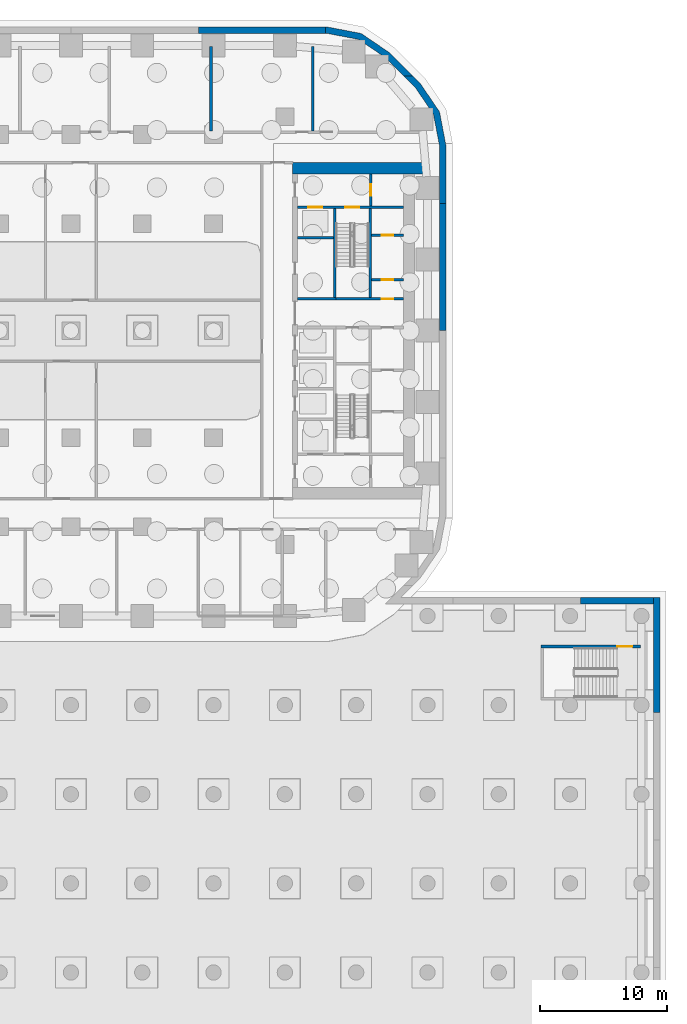
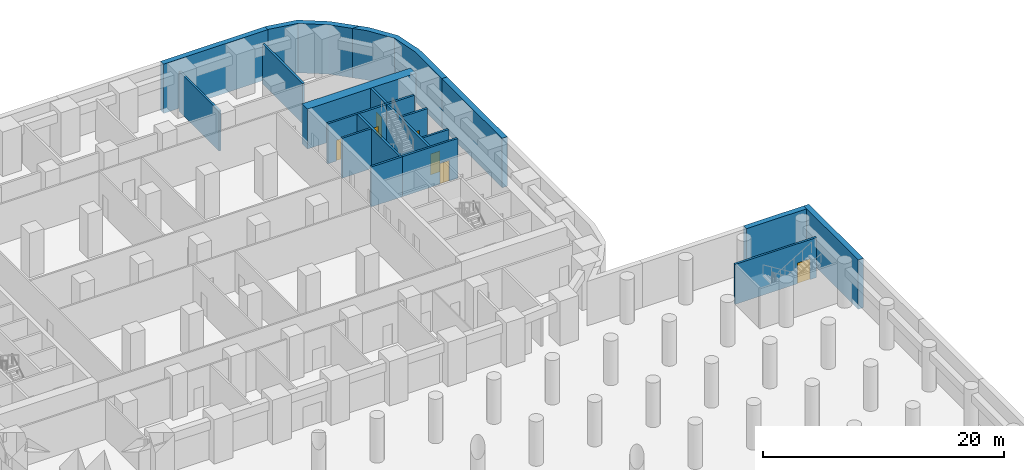
# One storey, part 14 of 23: 19 walls, 7 doors, 7 openings.
"""IFC4 building model written with IfcOpenShell, lengths in metres."""

from ifc_helpers import new_model, si_unit, direction, frame, frame_2d, origin, place, context, subcontext, project, spatial, polyline, rectangle, outline, extrude, material, layer, layer_set, type_object, element, fill, save


model = new_model("IFC4")

# Units and contexts
model_context = context("Model", 3, precision=1e-05, world=origin(), true_north=direction((0.0, 1.0)))
body_context = subcontext(model_context, "Body", "Model", "MODEL_VIEW")
ifc_project = project(units=[si_unit("LENGTHUNIT", "METRE"), si_unit("AREAUNIT", "SQUARE_METRE"), si_unit("VOLUMEUNIT", "CUBIC_METRE"), si_unit("PLANEANGLEUNIT", "RADIAN"), si_unit("MASSUNIT", "GRAM", prefix="KILO")], contexts=[model_context])

# Site, building, storey
site_placement = place(None, origin())
site = spatial("IfcSite", under=ifc_project, at=site_placement, CompositionType="ELEMENT")
building_placement = place(site_placement, origin())
building = spatial("IfcBuilding", under=site, at=building_placement, Name="Kiln Ring Residences", CompositionType="ELEMENT")
storey_placement = place(building_placement, frame((0.0, 0.0, -4.5)))
storey = spatial("IfcBuildingStorey", under=building, at=storey_placement, Name="B1", CompositionType="ELEMENT", Elevation=-4.5)

# Walls
ifc_material_1 = material(Name="Concrete C50/60", Category="concrete")
ifc_layer_1 = layer(ifc_material_1, 0.5)
ifc_layer_set_1 = layer_set([ifc_layer_1], Name="Basement retaining wall 500 C50/60")
wall_type_1 = type_object("IfcWallType", Name="Basement retaining wall 500 C50/60", PredefinedType="SOLIDWALL", material=ifc_layer_set_1)
placement = place(storey_placement, frame((0.0, 0.0, -0.5)))
element("IfcWall", 1, at=placement, inside=storey, type_object=wall_type_1, Name="Basement retaining wall B1 24", PredefinedType="SOLIDWALL", context=body_context, shape_type="SweptSolid", body=[
    extrude(outline(polyline([(10.0, 23.85009765625), (10.0, 23.35009765625), (20.0, 23.35009765625), (20.0, 23.85009765625), (10.0, 23.85009765625)])), origin(), (0.0, 0.0, 1.0), 5.0),
])
element("IfcWall", 2, at=placement, inside=storey, type_object=wall_type_1, Name="Basement retaining wall B1 29", PredefinedType="SOLIDWALL", context=body_context, shape_type="SweptSolid", body=[
    extrude(outline(polyline([(29.449951171875, 10.0), (28.949951171875, 10.0), (28.949951171875, 0.0), (29.449951171875, 0.0), (29.449951171875, 10.0)])), origin(), (0.0, 0.0, 1.0), 5.0),
])
element("IfcWall", 3, at=placement, inside=storey, type_object=wall_type_1, Name="Basement retaining wall B1 30", PredefinedType="SOLIDWALL", context=body_context, shape_type="SweptSolid", body=[
    extrude(outline(polyline([(26.8505859375, 20.0), (26.1435546875, 20.0), (27.0380859375, 19.105224609375), (28.47216796875, 16.99560546875), (28.949951171875, 14.48974609375), (28.949951171875, 10.0), (29.449951171875, 10.0), (29.449951171875, 14.537109375), (28.94384765625, 17.19091796875), (27.425048828125, 19.425537109375), (26.8505859375, 20.0)])), origin(), (0.0, 0.0, 1.0), 5.0),
])
element("IfcWall", 4, at=placement, inside=storey, type_object=wall_type_1, Name="Basement retaining wall B1 31", PredefinedType="SOLIDWALL", context=body_context, shape_type="SweptSolid", body=[
    extrude(outline(polyline([(20.0, 23.85009765625), (20.0, 23.35009765625), (20.08984375, 23.35009765625), (22.595458984375, 22.8720703125), (24.705322265625, 21.438232421875), (26.1435546875, 20.0), (26.8505859375, 20.0), (25.025390625, 21.8251953125), (22.791015625, 23.34375), (20.136962890625, 23.85009765625), (20.0, 23.85009765625)])), origin(), (0.0, 0.0, 1.0), 5.0),
])
element("IfcWall", 5, at=placement, inside=storey, type_object=wall_type_1, Name="Basement retaining wall B1 39", PredefinedType="SOLIDWALL", context=body_context, shape_type="SweptSolid", body=[
    extrude(outline(polyline([(46.25, -20.949951171875), (45.75, -20.949951171875), (45.75, -21.449951171875), (45.75, -30.0), (46.25, -30.0), (46.25, -20.949951171875)])), origin(), (0.0, 0.0, 1.0), 5.0),
])
element("IfcWall", 6, at=placement, inside=storey, type_object=wall_type_1, Name="Basement retaining wall B1 40", PredefinedType="SOLIDWALL", context=body_context, shape_type="SweptSolid", body=[
    extrude(outline(polyline([(45.75, -21.449951171875), (45.75, -20.949951171875), (40.0, -20.949951171875), (40.0, -21.449951171875), (45.75, -21.449951171875)])), origin(), (0.0, 0.0, 1.0), 5.0),
])

# Wall, opening, door
ifc_material_2 = material(Name="Gypsum board on steel studs", Category="steel")
ifc_layer_2 = layer(ifc_material_2, 0.199951171875)
ifc_layer_set_2 = layer_set([ifc_layer_2], Name="CORE-PARTITION-200")
wall_type_2 = type_object("IfcWallType", Name="CORE-PARTITION-200", PredefinedType="PARTITIONING", material=ifc_layer_set_2)
wall_7_placement = place(storey_placement, frame((23.550048828125, 9.800048828125, 0.0), z_axis=(0.0, 0.0, 1.0), x_axis=(0.0, 1.0, 0.0)))
wall_7 = element("IfcWall", 7, at=wall_7_placement, inside=storey, type_object=wall_type_2, Name="Core partition east B1 3", PredefinedType="PARTITIONING", context=body_context, shape_type="SweptSolid", body=[
    extrude(rectangle(XDim=2.5, YDim=0.199951171875, at=frame_2d((1.25, 0.0))), origin(), (0.0, 0.0, 1.0), 4.050048828125),
])
opening_1_placement = place(wall_7_placement, frame((0.800048828125, 0.0, 0.0)))
opening_1 = element("IfcOpeningElement", 8, at=opening_1_placement, cuts=wall_7, Name="Opening B1-CE09", PredefinedType="OPENING", context=body_context, shape_type="SweptSolid", body=[
    extrude(rectangle(XDim=0.89990234375, YDim=2.10009765625, at=frame_2d((0.449951171875, 1.050048828125))), frame((0.0, 0.10986328125, 0.0), z_axis=(0.0, -1.0, 0.0), x_axis=(1.0, 0.0, 0.0)), (0.0, 0.0, 1.0), 0.219970703125),
])
ifc_material_3 = material(Name="Steel door leaf", Category="steel")
door_type_1 = type_object("IfcDoorType", Name="CORE-DOOR-ROOM", OperationType="SINGLE_SWING_LEFT", PredefinedType="DOOR", material=ifc_material_3)
door_1_placement = place(opening_1_placement, origin())
door_1 = element("IfcDoor", 9, at=door_1_placement, inside=storey, type_object=door_type_1, Name="Fire riser room B1-CE09", OperationType="SINGLE_SWING_RIGHT", OverallHeight=2.10009765625, OverallWidth=0.89990234375, PredefinedType="DOOR", context=body_context, shape_type="SweptSolid", body=[
    extrude(rectangle(XDim=0.89990234375, YDim=2.10009765625, at=frame_2d((0.449951171875, 1.050048828125))), frame((0.0, 0.02490234375, 0.0), z_axis=(0.0, -1.0, 0.0), x_axis=(1.0, 0.0, 0.0)), (0.0, 0.0, 1.0), 0.050048828125),
])
fill(opening_1, door_1)

wall_8_placement = place(storey_placement, frame((23.60009765625, 4.0, 0.0), z_axis=(0.0, 0.0, 1.0), x_axis=(1.0, 0.0, 0.0)))
wall_8 = element("IfcWall", 10, at=wall_8_placement, inside=storey, type_object=wall_type_2, Name="Core partition east B1 7", PredefinedType="PARTITIONING", context=body_context, shape_type="SweptSolid", body=[
    extrude(rectangle(XDim=2.5, YDim=0.199951171875, at=frame_2d((1.25, 0.0))), origin(), (0.0, 0.0, 1.0), 4.050048828125),
])
opening_2_placement = place(wall_8_placement, frame((0.800048828125, 0.0, 0.0)))
opening_2 = element("IfcOpeningElement", 11, at=opening_2_placement, cuts=wall_8, Name="Opening B1-CE18", PredefinedType="OPENING", context=body_context, shape_type="SweptSolid", body=[
    extrude(rectangle(XDim=0.89990234375, YDim=2.10009765625, at=frame_2d((0.449951171875, 1.050048828125))), frame((0.0, 0.10986328125, 0.0), z_axis=(0.0, -1.0, 0.0), x_axis=(1.0, 0.0, 0.0)), (0.0, 0.0, 1.0), 0.219970703125),
])
door_2_placement = place(opening_2_placement, origin())
door_2 = element("IfcDoor", 12, at=door_2_placement, inside=storey, type_object=door_type_1, Name="Electrical plant room B1-CE18", OperationType="SINGLE_SWING_RIGHT", OverallHeight=2.10009765625, OverallWidth=0.89990234375, PredefinedType="DOOR", context=body_context, shape_type="SweptSolid", body=[
    extrude(rectangle(XDim=0.89990234375, YDim=2.10009765625, at=frame_2d((0.449951171875, 1.050048828125))), frame((0.0, 0.02490234375, 0.0), z_axis=(0.0, -1.0, 0.0), x_axis=(1.0, 0.0, 0.0)), (0.0, 0.0, 1.0), 0.050048828125),
])
fill(opening_2, door_2)

wall_9_placement = place(storey_placement, frame((23.60009765625, 7.5, 0.0), z_axis=(0.0, 0.0, 1.0), x_axis=(1.0, 0.0, 0.0)))
wall_9 = element("IfcWall", 13, at=wall_9_placement, inside=storey, type_object=wall_type_2, Name="Core partition east B1 8", PredefinedType="PARTITIONING", context=body_context, shape_type="SweptSolid", body=[
    extrude(rectangle(XDim=2.5, YDim=0.199951171875, at=frame_2d((1.25, 0.0))), origin(), (0.0, 0.0, 1.0), 4.050048828125),
])
opening_3_placement = place(wall_9_placement, frame((0.800048828125, 0.0, 0.0)))
opening_3 = element("IfcOpeningElement", 14, at=opening_3_placement, cuts=wall_9, Name="Opening B1-CE19", PredefinedType="OPENING", context=body_context, shape_type="SweptSolid", body=[
    extrude(rectangle(XDim=0.89990234375, YDim=2.10009765625, at=frame_2d((0.449951171875, 1.050048828125))), frame((0.0, 0.10986328125, 0.0), z_axis=(0.0, -1.0, 0.0), x_axis=(1.0, 0.0, 0.0)), (0.0, 0.0, 1.0), 0.219970703125),
])
door_3_placement = place(opening_3_placement, origin())
door_3 = element("IfcDoor", 15, at=door_3_placement, inside=storey, type_object=door_type_1, Name="UPS room B1-CE19", OperationType="SINGLE_SWING_LEFT", OverallHeight=2.10009765625, OverallWidth=0.89990234375, PredefinedType="DOOR", context=body_context, shape_type="SweptSolid", body=[
    extrude(rectangle(XDim=0.89990234375, YDim=2.10009765625, at=frame_2d((0.449951171875, 1.050048828125))), frame((0.0, 0.02490234375, 0.0), z_axis=(0.0, -1.0, 0.0), x_axis=(1.0, 0.0, 0.0)), (0.0, 0.0, 1.0), 0.050048828125),
])
fill(opening_3, door_3)

# Walls
ifc_material_4 = material(Name="Gypsum shaft wall system")
ifc_layer_3 = layer(ifc_material_4, 0.199951171875)
ifc_layer_set_3 = layer_set([ifc_layer_3], Name="CORE-SHAFT-WALL-200")
wall_type_3 = type_object("IfcWallType", Name="CORE-SHAFT-WALL-200", PredefinedType="PARTITIONING", material=ifc_layer_set_3)
wall_10_placement = place(storey_placement, frame((17.800048828125, 2.5, 0.0), z_axis=(0.0, 0.0, 1.0), x_axis=(1.0, 0.0, 0.0)))
element("IfcWall", 16, at=wall_10_placement, inside=storey, type_object=wall_type_3, Name="Core partition east B1 13", PredefinedType="PARTITIONING", context=body_context, shape_type="SweptSolid", body=[
    extrude(rectangle(XDim=3.0, YDim=0.199951171875, at=frame_2d((1.5, 0.0))), origin(), (0.0, 0.0, 1.0), 4.050048828125),
])
wall_11_placement = place(storey_placement, frame((17.800048828125, 7.300048828125, 0.0), z_axis=(0.0, 0.0, 1.0), x_axis=(1.0, 0.0, 0.0)))
element("IfcWall", 17, at=wall_11_placement, inside=storey, type_object=wall_type_3, Name="Core partition east B1 14", PredefinedType="PARTITIONING", context=body_context, shape_type="SweptSolid", body=[
    extrude(rectangle(XDim=2.800048828125, YDim=0.199951171875, at=frame_2d((1.39990234375, 0.0))), origin(), (0.0, 0.0, 1.0), 4.050048828125),
])
ifc_material_5 = material(Name="Concrete C40/50", Category="concrete")
ifc_layer_4 = layer(ifc_material_5, 0.199951171875)
ifc_layer_set_4 = layer_set([ifc_layer_4], Name="CORE-WALL-RC200")
wall_type_4 = type_object("IfcWallType", Name="CORE-WALL-RC200", PredefinedType="SHEAR", material=ifc_layer_set_4)
wall_12_placement = place(storey_placement, frame((20.699951171875, 2.60009765625, 0.0), z_axis=(0.0, 0.0, 1.0), x_axis=(0.0, 1.0, 0.0)))
element("IfcWall", 18, at=wall_12_placement, inside=storey, type_object=wall_type_4, Name="Core wall east B1 1", PredefinedType="SHEAR", context=body_context, shape_type="SweptSolid", body=[
    extrude(rectangle(XDim=7.0, YDim=0.199951171875, at=frame_2d((3.5, 0.0))), origin(), (0.0, 0.0, 1.0), 4.050048828125),
])

# Wall, opening, door
wall_13_placement = place(storey_placement, frame((20.800048828125, 2.5, 0.0), z_axis=(0.0, 0.0, 1.0), x_axis=(1.0, 0.0, 0.0)))
wall_13 = element("IfcWall", 19, at=wall_13_placement, inside=storey, type_object=wall_type_4, Name="Core wall east B1 3", PredefinedType="SHEAR", context=body_context, shape_type="SweptSolid", body=[
    extrude(rectangle(XDim=5.300048828125, YDim=0.199951171875, at=frame_2d((2.64990234375, 0.0))), origin(), (0.0, 0.0, 1.0), 4.050048828125),
])
opening_4_placement = place(wall_13_placement, frame((3.60009765625, 0.0, 0.0)))
opening_4 = element("IfcOpeningElement", 20, at=opening_4_placement, cuts=wall_13, Name="Opening B1-CE20", PredefinedType="OPENING", context=body_context, shape_type="SweptSolid", body=[
    extrude(rectangle(XDim=0.89990234375, YDim=2.10009765625, at=frame_2d((0.449951171875, 1.050048828125))), frame((0.0, 0.10986328125, 0.0), z_axis=(0.0, -1.0, 0.0), x_axis=(1.0, 0.0, 0.0)), (0.0, 0.0, 1.0), 0.219970703125),
])
door_4_placement = place(opening_4_placement, origin())
door_4 = element("IfcDoor", 21, at=door_4_placement, inside=storey, type_object=door_type_1, Name="Comms room B1-CE20", OperationType="SINGLE_SWING_RIGHT", OverallHeight=2.10009765625, OverallWidth=0.89990234375, PredefinedType="DOOR", context=body_context, shape_type="SweptSolid", body=[
    extrude(rectangle(XDim=0.89990234375, YDim=2.10009765625, at=frame_2d((0.449951171875, 1.050048828125))), frame((0.0, 0.02490234375, 0.0), z_axis=(0.0, -1.0, 0.0), x_axis=(1.0, 0.0, 0.0)), (0.0, 0.0, 1.0), 0.050048828125),
])
fill(opening_4, door_4)

# Wall, openings, doors
wall_14_placement = place(storey_placement, frame((17.800048828125, 9.699951171875, 0.0), z_axis=(0.0, 0.0, 1.0), x_axis=(1.0, 0.0, 0.0)))
wall_14 = element("IfcWall", 22, at=wall_14_placement, inside=storey, type_object=wall_type_4, Name="Core wall east B1 9", PredefinedType="SHEAR", context=body_context, shape_type="SweptSolid", body=[
    extrude(rectangle(XDim=8.300048828125, YDim=0.199951171875, at=frame_2d((4.14990234375, 0.0))), origin(), (0.0, 0.0, 1.0), 4.050048828125),
])
opening_5_placement = place(wall_14_placement, frame((0.85009765625, 0.0, 0.0)))
opening_5 = element("IfcOpeningElement", 23, at=opening_5_placement, cuts=wall_14, Name="Opening B1-CE06", PredefinedType="OPENING", context=body_context, shape_type="SweptSolid", body=[
    extrude(rectangle(XDim=1.10009765625, YDim=2.10009765625, at=frame_2d((0.550048828125, 1.050048828125))), frame((0.0, 0.10986328125, 0.0), z_axis=(0.0, -1.0, 0.0), x_axis=(1.0, 0.0, 0.0)), (0.0, 0.0, 1.0), 0.219970703125),
])
opening_6_placement = place(wall_14_placement, frame((3.75, 0.0, 0.0)))
opening_6 = element("IfcOpeningElement", 24, at=opening_6_placement, cuts=wall_14, Name="Opening B1-CE11", PredefinedType="OPENING", context=body_context, shape_type="SweptSolid", body=[
    extrude(rectangle(XDim=1.10009765625, YDim=2.10009765625, at=frame_2d((0.550048828125, 1.050048828125))), frame((0.0, 0.10986328125, 0.0), z_axis=(0.0, -1.0, 0.0), x_axis=(1.0, 0.0, 0.0)), (0.0, 0.0, 1.0), 0.219970703125),
])
ifc_material_6 = material(Name="Steel door leaf", Category="steel")
door_type_2 = type_object("IfcDoorType", Name="CORE-DOOR-LD", OperationType="DOUBLE_DOOR_SLIDING", PredefinedType="DOOR", material=ifc_material_6)
door_5_placement = place(opening_5_placement, origin())
door_5 = element("IfcDoor", 25, at=door_5_placement, inside=storey, type_object=door_type_2, Name="LD E-FF B1-CE06", OperationType="DOUBLE_DOOR_SLIDING", OverallHeight=2.10009765625, OverallWidth=1.10009765625, PredefinedType="DOOR", context=body_context, shape_type="SweptSolid", body=[
    extrude(rectangle(XDim=1.10009765625, YDim=2.10009765625, at=frame_2d((0.550048828125, 1.050048828125))), frame((0.0, 0.02490234375, 0.0), z_axis=(0.0, -1.0, 0.0), x_axis=(1.0, 0.0, 0.0)), (0.0, 0.0, 1.0), 0.050048828125),
])
fill(opening_5, door_5)
ifc_material_7 = material(Name="Steel door leaf", Category="steel")
door_type_3 = type_object("IfcDoorType", Name="CORE-DOOR-STAIR", OperationType="SINGLE_SWING_LEFT", PredefinedType="DOOR", material=ifc_material_7)
door_6_placement = place(opening_6_placement, origin())
door_6 = element("IfcDoor", 26, at=door_6_placement, inside=storey, type_object=door_type_3, Name="Stair E-STN B1-CE11", OperationType="SINGLE_SWING_RIGHT", OverallHeight=2.10009765625, OverallWidth=1.10009765625, PredefinedType="DOOR", context=body_context, shape_type="SweptSolid", body=[
    extrude(rectangle(XDim=1.10009765625, YDim=2.10009765625, at=frame_2d((0.550048828125, 1.050048828125))), frame((0.0, 0.02490234375, 0.0), z_axis=(0.0, -1.0, 0.0), x_axis=(1.0, 0.0, 0.0)), (0.0, 0.0, 1.0), 0.050048828125),
])
fill(opening_6, door_6)

# Walls
wall_15_placement = place(storey_placement, frame((23.5, 2.60009765625, 0.0), z_axis=(0.0, 0.0, 1.0), x_axis=(0.0, 1.0, 0.0)))
element("IfcWall", 27, at=wall_15_placement, inside=storey, type_object=wall_type_4, Name="Core wall east B1 10", PredefinedType="SHEAR", context=body_context, shape_type="SweptSolid", body=[
    extrude(rectangle(XDim=7.0, YDim=0.199951171875, at=frame_2d((3.5, 0.0))), origin(), (0.0, 0.0, 1.0), 4.050048828125),
])
ifc_material_8 = material(Name="Concrete C60/75", Category="concrete")
ifc_layer_5 = layer(ifc_material_8, 0.89990234375)
ifc_layer_set_5 = layer_set([ifc_layer_5], Name="CORE-WALL-RC900")
wall_type_5 = type_object("IfcWallType", Name="CORE-WALL-RC900", PredefinedType="SHEAR", material=ifc_layer_set_5)
wall_16_placement = place(storey_placement, frame((17.39990234375, 12.75, 0.0), z_axis=(0.0, 0.0, 1.0), x_axis=(1.0, 0.0, 0.0)))
element("IfcWall", 28, at=wall_16_placement, inside=storey, type_object=wall_type_5, Name="Core wall east B1 4", PredefinedType="SHEAR", context=body_context, shape_type="SweptSolid", body=[
    extrude(rectangle(XDim=10.400146484375, YDim=0.89990234375, at=frame_2d((5.2001953125, 0.0))), origin(), (0.0, 0.0, 1.0), 4.050048828125),
])
ifc_material_9 = material(Name="Brick masonry partition", Category="masonry")
ifc_layer_6 = layer(ifc_material_9, 0.199951171875)
ifc_layer_set_6 = layer_set([ifc_layer_6], Name="PARTITION-200-ei120")
wall_type_6 = type_object("IfcWallType", Name="PARTITION-200-ei120", PredefinedType="PARTITIONING", material=ifc_layer_set_6)
for number, where, z_axis, x_axis, name in (
    (29, (11.0, 15.699951171875, 0.0), (0.0, 0.0, 1.0), (0.0, 1.0, 0.0), "Partition 028"),
    (30, (19.0, 15.699951171875, 0.0), (0.0, 0.0, 1.0), (0.0, 1.0, 0.0), "Partition 032"),
):
    element("IfcWall", number, at=place(storey_placement, frame(where, z_axis=z_axis, x_axis=x_axis)), inside=storey, type_object=wall_type_6, Name=name, PredefinedType="PARTITIONING", context=body_context, shape_type="SweptSolid", body=[
        extrude(rectangle(XDim=6.610107421875, YDim=0.199951171875, at=frame_2d((3.30517578125, 0.0))), origin(), (0.0, 0.0, 1.0), 4.050048828125),
    ])

# Wall, opening, door
ifc_material_10 = material(Name="Concrete C40/50", Category="concrete")
ifc_layer_7 = layer(ifc_material_10, 0.199951171875)
ifc_layer_set_7 = layer_set([ifc_layer_7], Name="PODIUM-STAIR-WALL-200")
wall_type_7 = type_object("IfcWallType", Name="PODIUM-STAIR-WALL-200", PredefinedType="SHEAR", material=ifc_layer_set_7)
wall_17_placement = place(storey_placement, frame((36.89990234375, -24.800048828125, 0.0), z_axis=(0.0, 0.0, 1.0), x_axis=(1.0, 0.0, 0.0)))
wall_17 = element("IfcWall", 31, at=wall_17_placement, inside=storey, type_object=wall_type_7, Name="Stair wall 003", PredefinedType="SHEAR", context=body_context, shape_type="SweptSolid", body=[
    extrude(rectangle(XDim=7.81005859375, YDim=0.199951171875, at=frame_2d((3.905029296875, 0.0))), origin(), (0.0, 0.0, 1.0), 4.050048828125),
])
opening_7_placement = place(wall_17_placement, frame((5.9970703125, 0.0, 0.0)))
opening_7 = element("IfcOpeningElement", 32, at=opening_7_placement, cuts=wall_17, Name="Opening B1-D032", PredefinedType="OPENING", context=body_context, shape_type="SweptSolid", body=[
    extrude(rectangle(XDim=1.199951171875, YDim=2.10009765625, at=frame_2d((0.60009765625, 1.050048828125))), frame((0.0, 0.10986328125, 0.0), z_axis=(0.0, -1.0, 0.0), x_axis=(1.0, 0.0, 0.0)), (0.0, 0.0, 1.0), 0.219970703125),
])
ifc_material_11 = material(Name="Steel faced fire door leaf", Category="steel")
door_type_4 = type_object("IfcDoorType", Name="FLAT-DOOR-1200-FR", OperationType="SINGLE_SWING_LEFT", PredefinedType="DOOR", material=ifc_material_11)
door_7_placement = place(opening_7_placement, origin())
door_7 = element("IfcDoor", 33, at=door_7_placement, inside=storey, type_object=door_type_4, Name="Door B1-D032", OperationType="SINGLE_SWING_RIGHT", OverallHeight=2.10009765625, OverallWidth=1.199951171875, PredefinedType="DOOR", context=body_context, shape_type="SweptSolid", body=[
    extrude(rectangle(XDim=1.199951171875, YDim=2.10009765625, at=frame_2d((0.60009765625, 1.050048828125))), frame((0.0, 0.02490234375, 0.0), z_axis=(0.0, -1.0, 0.0), x_axis=(1.0, 0.0, 0.0)), (0.0, 0.0, 1.0), 0.050048828125),
])
fill(opening_7, door_7)

save(model, "model.ifc")
